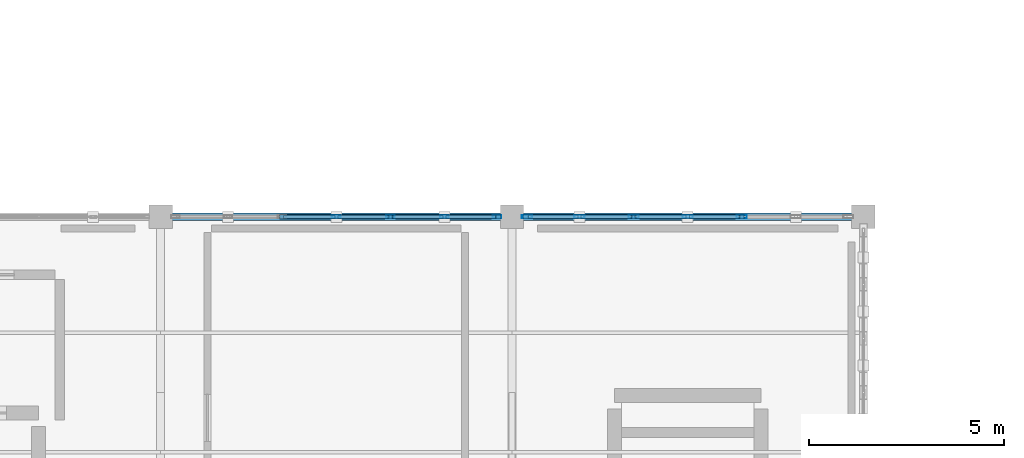
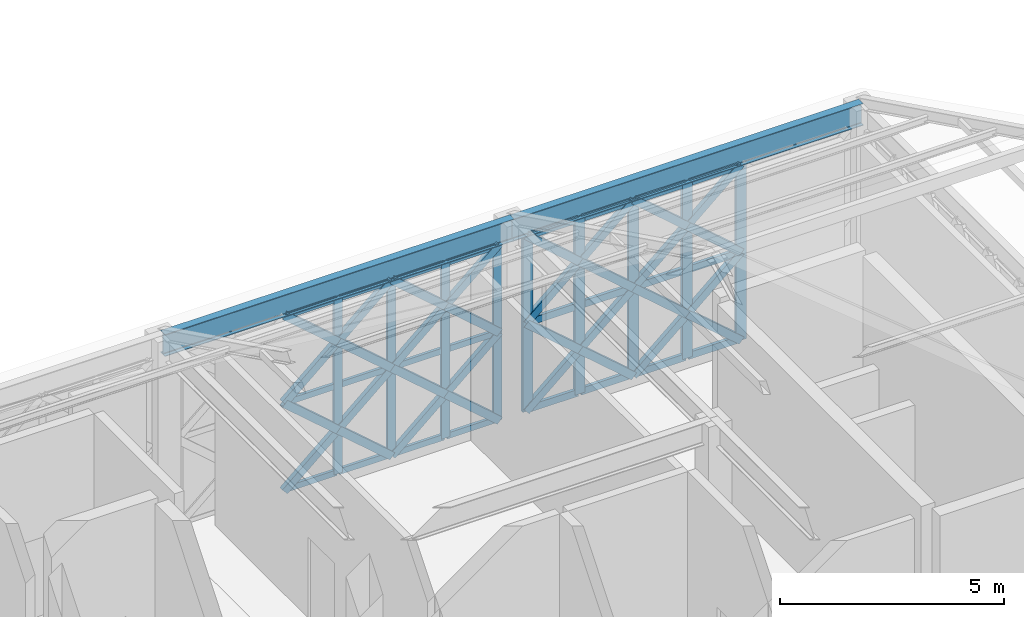
# One storey, part 19 of 32: 57 members, 2 beams, 2 elements without a shape of their own.
"""IFC4 building model written with IfcOpenShell, lengths in metres."""

import ifcopenshell
import ifcopenshell.guid

model = None  # the IFC model being written
_history = None  # IfcOwnerHistory: only IFC2X3 demands one
_inside = {}  # id of a spatial element -> (the spatial element, [elements in it])
_under = {}  # id of a project, library or spatial element -> (it, [spatial elements below it])
_declared = {}  # id of a project -> (the project, [libraries it declares])
_typed = {}  # id of a type object -> (the type object, [elements of that type])
_made_of = {}  # id of a material, layer set ... -> (it, [elements and type objects made of it])


def new_model(schema):
    """Start an empty IFC model of exactly this schema.

    Asked for "IFC4X3", IfcOpenShell would pick the latest addendum, in which some entities
    have other attributes; the version numbers below select the first issue.
    IFC2X3 requires an IfcOwnerHistory on every rooted entity: one is made here for all.
    """
    global model, _history
    if schema == "IFC4X3":
        model = ifcopenshell.file(schema_version=(4, 3, 0, 0))
    else:
        model = ifcopenshell.file(schema=schema)
    _inside.clear()
    _under.clear()
    _declared.clear()
    _typed.clear()
    _made_of.clear()
    _history = None
    if model.schema == "IFC2X3":
        org = make("IfcOrganization", Name="unknown")
        user = make(
            "IfcPersonAndOrganization",
            ThePerson=make("IfcPerson", FamilyName="unknown"),
            TheOrganization=org,
        )
        app = make(
            "IfcApplication",
            ApplicationDeveloper=org,
            Version="unknown",
            ApplicationFullName="unknown",
            ApplicationIdentifier="unknown",
        )
        _history = make(
            "IfcOwnerHistory",
            OwningUser=user,
            OwningApplication=app,
            ChangeAction="ADDED",
            CreationDate=0,
        )
    return model


def make(cls, **values):
    """One entity of the class cls with the attributes given. An attribute that is None is left unset."""
    return model.create_entity(
        cls, **{name: value for name, value in values.items() if value is not None}
    )


def rooted(cls, **values):
    """An entity with a GlobalId (a new one), such as an element, a storey or a relation."""
    return make(cls, GlobalId=ifcopenshell.guid.new(), OwnerHistory=_history, **values)


def si_unit(unit_type, name, prefix=None):
    """IfcSIUnit, for example si_unit("LENGTHUNIT", "METRE", prefix="MILLI")."""
    return make("IfcSIUnit", UnitType=unit_type, Prefix=prefix, Name=name)


def assignment(units):
    """IfcUnitAssignment: the units of a project."""
    return None if units is None else make("IfcUnitAssignment", Units=units)


def point(xyz):
    """IfcCartesianPoint."""
    return None if xyz is None else make("IfcCartesianPoint", Coordinates=xyz)


def direction(xyz):
    """IfcDirection."""
    return None if xyz is None else make("IfcDirection", DirectionRatios=xyz)


def frame(location, z_axis=None, x_axis=None):
    """IfcAxis2Placement3D, a coordinate frame: its origin and axes. An axis left out is left unset."""
    return make(
        "IfcAxis2Placement3D",
        Location=point(location),
        Axis=direction(z_axis),
        RefDirection=direction(x_axis),
    )


def frame_2d(location, x_axis=None):
    """IfcAxis2Placement2D, a coordinate frame in the plane: its origin and x axis."""
    return make(
        "IfcAxis2Placement2D", Location=point(location), RefDirection=direction(x_axis)
    )


def origin():
    """The frame at (0, 0, 0) with its axes left unset."""
    return frame((0.0, 0.0, 0.0))


def origin_2d():
    """The frame at (0, 0) in the plane with its x axis left unset."""
    return frame_2d((0.0, 0.0))


def place(relative_to, where):
    """IfcLocalPlacement: puts the frame where relative to a parent placement (None: the world)."""
    return make(
        "IfcLocalPlacement", PlacementRelTo=relative_to, RelativePlacement=where
    )


def context(
    kind, dimensions, precision=None, world=None, true_north=None, identifier=None
):
    """IfcGeometricRepresentationContext, for example the 3D "Model" context."""
    return make(
        "IfcGeometricRepresentationContext",
        ContextIdentifier=identifier,
        ContextType=kind,
        CoordinateSpaceDimension=dimensions,
        Precision=precision,
        WorldCoordinateSystem=world,
        TrueNorth=true_north,
    )


def subcontext(parent, identifier, kind, view, scale=None):
    """IfcGeometricRepresentationSubContext, for example "Body" below "Model"."""
    return make(
        "IfcGeometricRepresentationSubContext",
        ContextIdentifier=identifier,
        ContextType=kind,
        ParentContext=parent,
        TargetScale=scale,
        TargetView=view,
    )


def project(units=None, contexts=None):
    """IfcProject with its units and contexts."""
    return rooted(
        "IfcProject",
        Name="project",
        RepresentationContexts=contexts,
        UnitsInContext=assignment(units),
    )


def spatial(cls, under=None, at=None, **own):
    """A site, building, storey or space (cls), placed at a placement, below another one or the project."""
    s = rooted(cls, ObjectPlacement=at, **own)
    if under is not None:
        _under.setdefault(under.id(), (under, []))[1].append(s)
    return s


def profile(cls, at=None, kind="AREA", **sizes):
    """A parametric profile (cls). Its sizes go by their IFC names, for example OverallWidth=200.0."""
    return make(cls, ProfileType=kind, Position=at, **sizes)


def hollow_rectangle(**sizes):
    """IfcRectangleHollowProfileDef."""
    return profile("IfcRectangleHollowProfileDef", **sizes)


def i_section(**sizes):
    """IfcIShapeProfileDef."""
    return profile("IfcIShapeProfileDef", **sizes)


def extrude(swept, where, along, depth):
    """IfcExtrudedAreaSolid: the profile swept, set in the frame where, extruded along a direction by depth."""
    return make(
        "IfcExtrudedAreaSolid",
        SweptArea=swept,
        Position=where,
        ExtrudedDirection=direction(along),
        Depth=depth,
    )


def shape(context_of_items, identifier, shape_type, items):
    """IfcShapeRepresentation: the items that make up one representation, for example the "Body"."""
    return make(
        "IfcShapeRepresentation",
        ContextOfItems=context_of_items,
        RepresentationIdentifier=identifier,
        RepresentationType=shape_type,
        Items=items,
    )


def material(Name=None, Category=None):
    """IfcMaterial."""
    return make("IfcMaterial", Name=Name, Category=Category)


def material_profile(
    of_material, cross_section, Name=None, Category=None, Priority=None
):
    """IfcMaterialProfile: a cross section and its material."""
    return make(
        "IfcMaterialProfile",
        Name=Name,
        Material=of_material,
        Profile=cross_section,
        Priority=Priority,
        Category=Category,
    )


def profile_set(profiles, Name=None, composite=None):
    """IfcMaterialProfileSet."""
    return make(
        "IfcMaterialProfileSet",
        Name=Name,
        MaterialProfiles=profiles,
        CompositeProfile=composite,
    )


def made_of(thing, what):
    """Note that an element or type object is made of a material, layer set ...; save() writes the relation."""
    if what is not None:
        _made_of.setdefault(what.id(), (what, []))[1].append(thing)
    return thing


def type_object(cls, material=None, **own):
    """A type object (cls), such as IfcWallType, which elements share."""
    return made_of(rooted(cls, **own), material)


def element(
    cls,
    number,
    at=None,
    inside=None,
    cuts=None,
    type_object=None,
    material=None,
    context=None,
    identifier="Body",
    shape_type=None,
    held_by="IfcProductDefinitionShape",
    body=None,
    shapes=None,
    **own,
):
    """One element of the class cls, such as IfcWall. Its Tag is "e" and its number.

    at: its placement. inside: the storey or other place that contains it. cuts: it is an
    opening in that element (IfcRelVoidsElement). A single representation is given by context,
    identifier, shape_type and body (its items); several are given by shapes. held_by: the class
    of the entity that holds the representations. save() writes the other relations.
    """
    e = rooted(cls, Tag="e%d" % number, ObjectPlacement=at, **own)
    if body is not None:
        shapes = [shape(context, identifier, shape_type, body)]
    if shapes is not None:
        e.Representation = make(held_by, Representations=shapes)
    if inside is not None:
        _inside.setdefault(inside.id(), (inside, []))[1].append(e)
    if cuts is not None:
        rooted(
            "IfcRelVoidsElement", RelatingBuildingElement=cuts, RelatedOpeningElement=e
        )
    if type_object is not None:
        _typed.setdefault(type_object.id(), (type_object, []))[1].append(e)
    return made_of(e, material)


def aggregate(whole, parts):
    """IfcRelAggregates: a whole, such as a stair, and the parts it consists of."""
    return rooted("IfcRelAggregates", RelatingObject=whole, RelatedObjects=parts)


def save(model, path):
    """Write the relations noted so far, then the file.

    IfcRelAggregates (storeys below a building ...), IfcRelContainedInSpatialStructure (elements
    in a storey), IfcRelDefinesByType, IfcRelAssociatesMaterial and IfcRelDeclares: one each for
    every whole, place, type object, material and project.
    """
    for whole, parts in _under.values():
        aggregate(whole, parts)
    for where, things in _inside.values():
        rooted(
            "IfcRelContainedInSpatialStructure",
            RelatedElements=things,
            RelatingStructure=where,
        )
    for kind, things in _typed.values():
        rooted("IfcRelDefinesByType", RelatedObjects=things, RelatingType=kind)
    for what, things in _made_of.values():
        rooted("IfcRelAssociatesMaterial", RelatedObjects=things, RelatingMaterial=what)
    for by, libraries in _declared.values():
        rooted("IfcRelDeclares", RelatingContext=by, RelatedDefinitions=libraries)
    model.write(path)


model = new_model("IFC4")

# Units and contexts
model_context = context("Model", 3, precision=1e-05, world=origin(), true_north=direction((0.0, 1.0)))
body_context = subcontext(model_context, "Body", "Model", "MODEL_VIEW")
ifc_project = project(units=[si_unit("LENGTHUNIT", "METRE"), si_unit("AREAUNIT", "SQUARE_METRE"), si_unit("VOLUMEUNIT", "CUBIC_METRE"), si_unit("PLANEANGLEUNIT", "RADIAN"), si_unit("MASSUNIT", "GRAM", prefix="KILO")], contexts=[model_context])

# Site, building, storey
site_placement = place(None, origin())
site = spatial("IfcSite", under=ifc_project, at=site_placement, CompositionType="ELEMENT")
building_placement = place(site_placement, origin())
building = spatial("IfcBuilding", under=site, at=building_placement, Name="Haizhuo Lancet Aquarium", CompositionType="ELEMENT")
storey_placement = place(building_placement, frame((0.0, 0.0, 27.0)))
storey = spatial("IfcBuildingStorey", under=building, at=storey_placement, Name="L05", CompositionType="ELEMENT", Elevation=27.0)

# Beams
ifc_material_1 = material(Name="Steel S355", Category="steel")
ifc_material_profile_1 = material_profile(ifc_material_1, i_section(OverallWidth=0.199951171875, OverallDepth=0.60009765625, WebThickness=0.010986328125, FlangeThickness=0.01708984375, FilletRadius=0.02197265625, at=origin_2d()), Name="HN 600x200x11x17")
ifc_profile_set_1 = profile_set([ifc_material_profile_1], Name="Steel S355")
beam_type = type_object("IfcBeamType", Name="BM-ST-HN600", PredefinedType="BEAM", material=ifc_profile_set_1)
for number, where, z_axis, x_axis, name in (
    (1, (-54.0, -9.0, 5.10009765625), (1.0, 0.0, 0.0), (0.0, 1.0, 0.0), "L05 V6 primary girder BM-L05-V6-018"),
    (2, (-45.0, -9.0, 5.10009765625), (1.0, 0.0, 0.0), (0.0, 1.0, 0.0), "L05 V6 primary girder BM-L05-V6-022"),
):
    element("IfcBeam", number, at=place(storey_placement, frame(where, z_axis=z_axis, x_axis=x_axis)), inside=storey, type_object=beam_type, Name=name, PredefinedType="BEAM", context=body_context, shape_type="SweptSolid", body=[
        extrude(i_section(OverallWidth=0.199951171875, OverallDepth=0.60009765625, WebThickness=0.010986328125, FlangeThickness=0.01708984375, FilletRadius=0.02197265625, at=origin_2d()), origin(), (0.0, 0.0, 1.0), 9.0),
    ])

# Curtain wall, members
ifc_material_2 = material(Name="Aluminium 6063-T6", Category="aluminium")
curtain_wall_type = type_object("IfcCurtainWallType", Name="CWO-8310x4800", PredefinedType="NOTDEFINED", material=ifc_material_2)
curtain_wall_1_placement = place(storey_placement, origin())
curtain_wall_1 = element("IfcCurtainWall", 3, at=curtain_wall_1_placement, inside=storey, type_object=curtain_wall_type, Name="L05 curtain wall CW-V6-L05-263", PredefinedType="NOTDEFINED")
ifc_material_profile_2 = material_profile(ifc_material_2, hollow_rectangle(XDim=0.074951171875, YDim=0.219970703125, WallThickness=0.0048828125, at=origin_2d()), Name="ALU-M 75x220x5")
ifc_profile_set_2 = profile_set([ifc_material_profile_2], Name="Aluminium 6063-T6")
member_type_1 = type_object("IfcMemberType", Name="CW-MUL-2", PredefinedType="MULLION", material=ifc_profile_set_2)
member_1_placement = place(storey_placement, frame((-49.5, -9.0, 0.0), z_axis=(0.0, 0.0, 1.0), x_axis=(0.0, 1.0, 0.0)))
member_1 = element("IfcMember", 4, at=member_1_placement, type_object=member_type_1, Name="CWO-83x48 mullion 4", PredefinedType="MULLION", context=body_context, shape_type="SweptSolid", body=[
    extrude(hollow_rectangle(XDim=0.074951171875, YDim=0.219970703125, WallThickness=0.0048828125, at=origin_2d()), origin(), (0.0, 0.0, 1.0), 4.800048828125),
])
member_2_placement = place(storey_placement, frame((-48.114990234375, -9.0, 0.0), z_axis=(0.0, 0.0, 1.0), x_axis=(0.0, 1.0, 0.0)))
member_2 = element("IfcMember", 5, at=member_2_placement, type_object=member_type_1, Name="CWO-83x48 mullion 5", PredefinedType="MULLION", context=body_context, shape_type="SweptSolid", body=[
    extrude(hollow_rectangle(XDim=0.074951171875, YDim=0.219970703125, WallThickness=0.0048828125, at=origin_2d()), origin(), (0.0, 0.0, 1.0), 4.800048828125),
])
member_3_placement = place(storey_placement, frame((-46.72998046875, -9.0, 0.0), z_axis=(0.0, 0.0, 1.0), x_axis=(0.0, 1.0, 0.0)))
member_3 = element("IfcMember", 6, at=member_3_placement, type_object=member_type_1, Name="CWO-83x48 mullion 6", PredefinedType="MULLION", context=body_context, shape_type="SweptSolid", body=[
    extrude(hollow_rectangle(XDim=0.074951171875, YDim=0.219970703125, WallThickness=0.0048828125, at=origin_2d()), origin(), (0.0, 0.0, 1.0), 4.800048828125),
])
member_4_placement = place(storey_placement, frame((-45.383056640625, -9.0, 0.0), z_axis=(0.0, 0.0, 1.0), x_axis=(0.0, 1.0, 0.0)))
member_4 = element("IfcMember", 7, at=member_4_placement, type_object=member_type_1, Name="CWO-83x48 mullion 7", PredefinedType="MULLION", context=body_context, shape_type="SweptSolid", body=[
    extrude(hollow_rectangle(XDim=0.074951171875, YDim=0.219970703125, WallThickness=0.0048828125, at=origin_2d()), origin(), (0.0, 0.0, 1.0), 4.800048828125),
])

curtain_wall_2_placement = place(storey_placement, origin())
curtain_wall_2 = element("IfcCurtainWall", 8, at=curtain_wall_2_placement, inside=storey, type_object=curtain_wall_type, Name="L05 curtain wall CW-V6-L05-264", PredefinedType="NOTDEFINED")
ifc_material_profile_3 = material_profile(ifc_material_2, hollow_rectangle(XDim=0.080078125, YDim=0.260009765625, WallThickness=0.0048828125, at=origin_2d()), Name="ALU-M 80x260x5")
ifc_profile_set_3 = profile_set([ifc_material_profile_3], Name="Aluminium 6063-T6")
member_type_2 = type_object("IfcMemberType", Name="CW-MUL-3", PredefinedType="MULLION", material=ifc_profile_set_3)
member_5_placement = place(storey_placement, frame((-44.614990234375, -9.0, 0.0), z_axis=(0.0, 0.0, 1.0), x_axis=(0.0, 1.0, 0.0)))
member_5 = element("IfcMember", 9, at=member_5_placement, type_object=member_type_2, Name="CWO-83x48 mullion 1", PredefinedType="MULLION", context=body_context, shape_type="SweptSolid", body=[
    extrude(hollow_rectangle(XDim=0.080078125, YDim=0.260009765625, WallThickness=0.0048828125, at=origin_2d()), origin(), (0.0, 0.0, 1.0), 4.800048828125),
])
member_6_placement = place(storey_placement, frame((-43.27001953125, -9.0, 0.0), z_axis=(0.0, 0.0, 1.0), x_axis=(0.0, 1.0, 0.0)))
member_6 = element("IfcMember", 10, at=member_6_placement, type_object=member_type_2, Name="CWO-83x48 mullion 2", PredefinedType="MULLION", context=body_context, shape_type="SweptSolid", body=[
    extrude(hollow_rectangle(XDim=0.080078125, YDim=0.260009765625, WallThickness=0.0048828125, at=origin_2d()), origin(), (0.0, 0.0, 1.0), 4.800048828125),
])
member_7_placement = place(storey_placement, frame((-41.885009765625, -9.0, 0.0), z_axis=(0.0, 0.0, 1.0), x_axis=(0.0, 1.0, 0.0)))
member_7 = element("IfcMember", 11, at=member_7_placement, type_object=member_type_2, Name="CWO-83x48 mullion 3", PredefinedType="MULLION", context=body_context, shape_type="SweptSolid", body=[
    extrude(hollow_rectangle(XDim=0.080078125, YDim=0.260009765625, WallThickness=0.0048828125, at=origin_2d()), origin(), (0.0, 0.0, 1.0), 4.800048828125),
])
member_8_placement = place(storey_placement, frame((-40.5, -9.0, 0.0), z_axis=(0.0, 0.0, 1.0), x_axis=(0.0, 1.0, 0.0)))
member_8 = element("IfcMember", 12, at=member_8_placement, type_object=member_type_2, Name="CWO-83x48 mullion 4", PredefinedType="MULLION", context=body_context, shape_type="SweptSolid", body=[
    extrude(hollow_rectangle(XDim=0.080078125, YDim=0.260009765625, WallThickness=0.0048828125, at=origin_2d()), origin(), (0.0, 0.0, 1.0), 4.800048828125),
])
member_9_placement = place(storey_placement, frame((-39.114990234375, -9.0, 0.0), z_axis=(0.0, 0.0, 1.0), x_axis=(0.0, 1.0, 0.0)))
member_9 = element("IfcMember", 13, at=member_9_placement, type_object=member_type_2, Name="CWO-83x48 mullion 5", PredefinedType="MULLION", context=body_context, shape_type="SweptSolid", body=[
    extrude(hollow_rectangle(XDim=0.080078125, YDim=0.260009765625, WallThickness=0.0048828125, at=origin_2d()), origin(), (0.0, 0.0, 1.0), 4.800048828125),
])

# Member
ifc_material_profile_4 = material_profile(ifc_material_2, hollow_rectangle(XDim=0.074951171875, YDim=0.159912109375, WallThickness=0.00390625, at=origin_2d()), Name="ALU-T 75x160x4")
ifc_profile_set_4 = profile_set([ifc_material_profile_4], Name="Aluminium 6063-T6")
member_type_3 = type_object("IfcMemberType", Name="CW-TRN-2", PredefinedType="NOTDEFINED", material=ifc_profile_set_4)
member_10_placement = place(storey_placement, frame((-50.846923828125, -9.0, 0.0380859375), z_axis=(1.0, 0.0, 0.0), x_axis=(0.0, 1.0, 0.0)))
member_10 = element("IfcMember", 14, at=member_10_placement, type_object=member_type_3, Name="CWO-83x48 transom 3.1", ObjectType="TRANSOM", PredefinedType="USERDEFINED", context=body_context, shape_type="SweptSolid", body=[
    extrude(hollow_rectangle(XDim=0.074951171875, YDim=0.159912109375, WallThickness=0.00390625, at=origin_2d()), origin(), (0.0, 0.0, 1.0), 1.308837890625),
])

member_11_placement = place(storey_placement, frame((-50.846923828125, -9.0, 2.39990234375), z_axis=(1.0, 0.0, 0.0), x_axis=(0.0, 1.0, 0.0)))
member_11 = element("IfcMember", 15, at=member_11_placement, type_object=member_type_3, Name="CWO-83x48 transom 3.2", ObjectType="TRANSOM", PredefinedType="USERDEFINED", context=body_context, shape_type="SweptSolid", body=[
    extrude(hollow_rectangle(XDim=0.074951171875, YDim=0.159912109375, WallThickness=0.00390625, at=origin_2d()), origin(), (0.0, 0.0, 1.0), 1.308837890625),
])

member_12_placement = place(storey_placement, frame((-50.846923828125, -9.0, 4.761962890625), z_axis=(1.0, 0.0, 0.0), x_axis=(0.0, 1.0, 0.0)))
member_12 = element("IfcMember", 16, at=member_12_placement, type_object=member_type_3, Name="CWO-83x48 transom 3.3", ObjectType="TRANSOM", PredefinedType="USERDEFINED", context=body_context, shape_type="SweptSolid", body=[
    extrude(hollow_rectangle(XDim=0.074951171875, YDim=0.159912109375, WallThickness=0.00390625, at=origin_2d()), origin(), (0.0, 0.0, 1.0), 1.308837890625),
])

member_13_placement = place(storey_placement, frame((-49.4619140625, -9.0, 0.0380859375), z_axis=(1.0, 0.0, 0.0), x_axis=(0.0, 1.0, 0.0)))
member_13 = element("IfcMember", 17, at=member_13_placement, type_object=member_type_3, Name="CWO-83x48 transom 4.1", ObjectType="TRANSOM", PredefinedType="USERDEFINED", context=body_context, shape_type="SweptSolid", body=[
    extrude(hollow_rectangle(XDim=0.074951171875, YDim=0.159912109375, WallThickness=0.00390625, at=origin_2d()), origin(), (0.0, 0.0, 1.0), 1.309814453125),
])

member_14_placement = place(storey_placement, frame((-49.4619140625, -9.0, 2.39990234375), z_axis=(1.0, 0.0, 0.0), x_axis=(0.0, 1.0, 0.0)))
member_14 = element("IfcMember", 18, at=member_14_placement, type_object=member_type_3, Name="CWO-83x48 transom 4.2", ObjectType="TRANSOM", PredefinedType="USERDEFINED", context=body_context, shape_type="SweptSolid", body=[
    extrude(hollow_rectangle(XDim=0.074951171875, YDim=0.159912109375, WallThickness=0.00390625, at=origin_2d()), origin(), (0.0, 0.0, 1.0), 1.309814453125),
])

member_15_placement = place(storey_placement, frame((-49.4619140625, -9.0, 4.761962890625), z_axis=(1.0, 0.0, 0.0), x_axis=(0.0, 1.0, 0.0)))
member_15 = element("IfcMember", 19, at=member_15_placement, type_object=member_type_3, Name="CWO-83x48 transom 4.3", ObjectType="TRANSOM", PredefinedType="USERDEFINED", context=body_context, shape_type="SweptSolid", body=[
    extrude(hollow_rectangle(XDim=0.074951171875, YDim=0.159912109375, WallThickness=0.00390625, at=origin_2d()), origin(), (0.0, 0.0, 1.0), 1.309814453125),
])

member_16_placement = place(storey_placement, frame((-48.077880859375, -9.0, 0.0380859375), z_axis=(1.0, 0.0, 0.0), x_axis=(0.0, 1.0, 0.0)))
member_16 = element("IfcMember", 20, at=member_16_placement, type_object=member_type_3, Name="CWO-83x48 transom 5.1", ObjectType="TRANSOM", PredefinedType="USERDEFINED", context=body_context, shape_type="SweptSolid", body=[
    extrude(hollow_rectangle(XDim=0.074951171875, YDim=0.159912109375, WallThickness=0.00390625, at=origin_2d()), origin(), (0.0, 0.0, 1.0), 1.310791015625),
])

member_17_placement = place(storey_placement, frame((-48.077880859375, -9.0, 2.39990234375), z_axis=(1.0, 0.0, 0.0), x_axis=(0.0, 1.0, 0.0)))
member_17 = element("IfcMember", 21, at=member_17_placement, type_object=member_type_3, Name="CWO-83x48 transom 5.2", ObjectType="TRANSOM", PredefinedType="USERDEFINED", context=body_context, shape_type="SweptSolid", body=[
    extrude(hollow_rectangle(XDim=0.074951171875, YDim=0.159912109375, WallThickness=0.00390625, at=origin_2d()), origin(), (0.0, 0.0, 1.0), 1.310791015625),
])

member_18_placement = place(storey_placement, frame((-48.077880859375, -9.0, 4.761962890625), z_axis=(1.0, 0.0, 0.0), x_axis=(0.0, 1.0, 0.0)))
member_18 = element("IfcMember", 22, at=member_18_placement, type_object=member_type_3, Name="CWO-83x48 transom 5.3", ObjectType="TRANSOM", PredefinedType="USERDEFINED", context=body_context, shape_type="SweptSolid", body=[
    extrude(hollow_rectangle(XDim=0.074951171875, YDim=0.159912109375, WallThickness=0.00390625, at=origin_2d()), origin(), (0.0, 0.0, 1.0), 1.310791015625),
])

member_19_placement = place(storey_placement, frame((-46.69189453125, -9.0, 0.0380859375), z_axis=(1.0, 0.0, 0.0), x_axis=(0.0, 1.0, 0.0)))
member_19 = element("IfcMember", 23, at=member_19_placement, type_object=member_type_3, Name="CWO-83x48 transom 6.1", ObjectType="TRANSOM", PredefinedType="USERDEFINED", context=body_context, shape_type="SweptSolid", body=[
    extrude(hollow_rectangle(XDim=0.074951171875, YDim=0.159912109375, WallThickness=0.00390625, at=origin_2d()), origin(), (0.0, 0.0, 1.0), 1.27197265625),
])

member_20_placement = place(storey_placement, frame((-46.69189453125, -9.0, 2.39990234375), z_axis=(1.0, 0.0, 0.0), x_axis=(0.0, 1.0, 0.0)))
member_20 = element("IfcMember", 24, at=member_20_placement, type_object=member_type_3, Name="CWO-83x48 transom 6.2", ObjectType="TRANSOM", PredefinedType="USERDEFINED", context=body_context, shape_type="SweptSolid", body=[
    extrude(hollow_rectangle(XDim=0.074951171875, YDim=0.159912109375, WallThickness=0.00390625, at=origin_2d()), origin(), (0.0, 0.0, 1.0), 1.27197265625),
])

member_21_placement = place(storey_placement, frame((-46.69189453125, -9.0, 4.761962890625), z_axis=(1.0, 0.0, 0.0), x_axis=(0.0, 1.0, 0.0)))
member_21 = element("IfcMember", 25, at=member_21_placement, type_object=member_type_3, Name="CWO-83x48 transom 6.3", ObjectType="TRANSOM", PredefinedType="USERDEFINED", context=body_context, shape_type="SweptSolid", body=[
    extrude(hollow_rectangle(XDim=0.074951171875, YDim=0.159912109375, WallThickness=0.00390625, at=origin_2d()), origin(), (0.0, 0.0, 1.0), 1.27197265625),
])

aggregate(curtain_wall_1, [member_1, member_2, member_3, member_4, member_10, member_11, member_12, member_13, member_14, member_15, member_16, member_17, member_18, member_19, member_20, member_21])

ifc_material_profile_5 = material_profile(ifc_material_2, hollow_rectangle(XDim=0.080078125, YDim=0.18994140625, WallThickness=0.0048828125, at=origin_2d()), Name="ALU-T 80x190x5")
ifc_profile_set_5 = profile_set([ifc_material_profile_5], Name="Aluminium 6063-T6")
member_type_4 = type_object("IfcMemberType", Name="CW-TRN-3", PredefinedType="NOTDEFINED", material=ifc_profile_set_5)
member_22_placement = place(storey_placement, frame((-44.574951171875, -9.0, 0.0400390625), z_axis=(1.0, 0.0, 0.0), x_axis=(0.0, 1.0, 0.0)))
member_22 = element("IfcMember", 26, at=member_22_placement, type_object=member_type_4, Name="CWO-83x48 transom 1.1", ObjectType="TRANSOM", PredefinedType="USERDEFINED", context=body_context, shape_type="SweptSolid", body=[
    extrude(hollow_rectangle(XDim=0.080078125, YDim=0.18994140625, WallThickness=0.0048828125, at=origin_2d()), origin(), (0.0, 0.0, 1.0), 1.264892578125),
])

member_23_placement = place(storey_placement, frame((-44.574951171875, -9.0, 2.39990234375), z_axis=(1.0, 0.0, 0.0), x_axis=(0.0, 1.0, 0.0)))
member_23 = element("IfcMember", 27, at=member_23_placement, type_object=member_type_4, Name="CWO-83x48 transom 1.2", ObjectType="TRANSOM", PredefinedType="USERDEFINED", context=body_context, shape_type="SweptSolid", body=[
    extrude(hollow_rectangle(XDim=0.080078125, YDim=0.18994140625, WallThickness=0.0048828125, at=origin_2d()), origin(), (0.0, 0.0, 1.0), 1.264892578125),
])

member_24_placement = place(storey_placement, frame((-44.574951171875, -9.0, 4.760009765625), z_axis=(1.0, 0.0, 0.0), x_axis=(0.0, 1.0, 0.0)))
member_24 = element("IfcMember", 28, at=member_24_placement, type_object=member_type_4, Name="CWO-83x48 transom 1.3", ObjectType="TRANSOM", PredefinedType="USERDEFINED", context=body_context, shape_type="SweptSolid", body=[
    extrude(hollow_rectangle(XDim=0.080078125, YDim=0.18994140625, WallThickness=0.0048828125, at=origin_2d()), origin(), (0.0, 0.0, 1.0), 1.264892578125),
])

member_25_placement = place(storey_placement, frame((-43.22998046875, -9.0, 0.0400390625), z_axis=(1.0, 0.0, 0.0), x_axis=(0.0, 1.0, 0.0)))
member_25 = element("IfcMember", 29, at=member_25_placement, type_object=member_type_4, Name="CWO-83x48 transom 2.1", ObjectType="TRANSOM", PredefinedType="USERDEFINED", context=body_context, shape_type="SweptSolid", body=[
    extrude(hollow_rectangle(XDim=0.080078125, YDim=0.18994140625, WallThickness=0.0048828125, at=origin_2d()), origin(), (0.0, 0.0, 1.0), 1.304931640625),
])

member_26_placement = place(storey_placement, frame((-43.22998046875, -9.0, 2.39990234375), z_axis=(1.0, 0.0, 0.0), x_axis=(0.0, 1.0, 0.0)))
member_26 = element("IfcMember", 30, at=member_26_placement, type_object=member_type_4, Name="CWO-83x48 transom 2.2", ObjectType="TRANSOM", PredefinedType="USERDEFINED", context=body_context, shape_type="SweptSolid", body=[
    extrude(hollow_rectangle(XDim=0.080078125, YDim=0.18994140625, WallThickness=0.0048828125, at=origin_2d()), origin(), (0.0, 0.0, 1.0), 1.304931640625),
])

member_27_placement = place(storey_placement, frame((-43.22998046875, -9.0, 4.760009765625), z_axis=(1.0, 0.0, 0.0), x_axis=(0.0, 1.0, 0.0)))
member_27 = element("IfcMember", 31, at=member_27_placement, type_object=member_type_4, Name="CWO-83x48 transom 2.3", ObjectType="TRANSOM", PredefinedType="USERDEFINED", context=body_context, shape_type="SweptSolid", body=[
    extrude(hollow_rectangle(XDim=0.080078125, YDim=0.18994140625, WallThickness=0.0048828125, at=origin_2d()), origin(), (0.0, 0.0, 1.0), 1.304931640625),
])

member_28_placement = place(storey_placement, frame((-41.844970703125, -9.0, 0.0400390625), z_axis=(1.0, 0.0, 0.0), x_axis=(0.0, 1.0, 0.0)))
member_28 = element("IfcMember", 32, at=member_28_placement, type_object=member_type_4, Name="CWO-83x48 transom 3.1", ObjectType="TRANSOM", PredefinedType="USERDEFINED", context=body_context, shape_type="SweptSolid", body=[
    extrude(hollow_rectangle(XDim=0.080078125, YDim=0.18994140625, WallThickness=0.0048828125, at=origin_2d()), origin(), (0.0, 0.0, 1.0), 1.304931640625),
])

member_29_placement = place(storey_placement, frame((-41.844970703125, -9.0, 2.39990234375), z_axis=(1.0, 0.0, 0.0), x_axis=(0.0, 1.0, 0.0)))
member_29 = element("IfcMember", 33, at=member_29_placement, type_object=member_type_4, Name="CWO-83x48 transom 3.2", ObjectType="TRANSOM", PredefinedType="USERDEFINED", context=body_context, shape_type="SweptSolid", body=[
    extrude(hollow_rectangle(XDim=0.080078125, YDim=0.18994140625, WallThickness=0.0048828125, at=origin_2d()), origin(), (0.0, 0.0, 1.0), 1.304931640625),
])

member_30_placement = place(storey_placement, frame((-41.844970703125, -9.0, 4.760009765625), z_axis=(1.0, 0.0, 0.0), x_axis=(0.0, 1.0, 0.0)))
member_30 = element("IfcMember", 34, at=member_30_placement, type_object=member_type_4, Name="CWO-83x48 transom 3.3", ObjectType="TRANSOM", PredefinedType="USERDEFINED", context=body_context, shape_type="SweptSolid", body=[
    extrude(hollow_rectangle(XDim=0.080078125, YDim=0.18994140625, WallThickness=0.0048828125, at=origin_2d()), origin(), (0.0, 0.0, 1.0), 1.304931640625),
])

member_31_placement = place(storey_placement, frame((-40.4599609375, -9.0, 0.0400390625), z_axis=(1.0, 0.0, 0.0), x_axis=(0.0, 1.0, 0.0)))
member_31 = element("IfcMember", 35, at=member_31_placement, type_object=member_type_4, Name="CWO-83x48 transom 4.1", ObjectType="TRANSOM", PredefinedType="USERDEFINED", context=body_context, shape_type="SweptSolid", body=[
    extrude(hollow_rectangle(XDim=0.080078125, YDim=0.18994140625, WallThickness=0.0048828125, at=origin_2d()), origin(), (0.0, 0.0, 1.0), 1.304931640625),
])

member_32_placement = place(storey_placement, frame((-40.4599609375, -9.0, 2.39990234375), z_axis=(1.0, 0.0, 0.0), x_axis=(0.0, 1.0, 0.0)))
member_32 = element("IfcMember", 36, at=member_32_placement, type_object=member_type_4, Name="CWO-83x48 transom 4.2", ObjectType="TRANSOM", PredefinedType="USERDEFINED", context=body_context, shape_type="SweptSolid", body=[
    extrude(hollow_rectangle(XDim=0.080078125, YDim=0.18994140625, WallThickness=0.0048828125, at=origin_2d()), origin(), (0.0, 0.0, 1.0), 1.304931640625),
])

member_33_placement = place(storey_placement, frame((-40.4599609375, -9.0, 4.760009765625), z_axis=(1.0, 0.0, 0.0), x_axis=(0.0, 1.0, 0.0)))
member_33 = element("IfcMember", 37, at=member_33_placement, type_object=member_type_4, Name="CWO-83x48 transom 4.3", ObjectType="TRANSOM", PredefinedType="USERDEFINED", context=body_context, shape_type="SweptSolid", body=[
    extrude(hollow_rectangle(XDim=0.080078125, YDim=0.18994140625, WallThickness=0.0048828125, at=origin_2d()), origin(), (0.0, 0.0, 1.0), 1.304931640625),
])

aggregate(curtain_wall_2, [member_5, member_6, member_7, member_8, member_9, member_22, member_23, member_24, member_25, member_26, member_27, member_28, member_29, member_30, member_31, member_32, member_33])

# Members
ifc_material_profile_6 = material_profile(ifc_material_1, hollow_rectangle(XDim=0.1201171875, YDim=0.199951171875, WallThickness=0.008056640625, at=origin_2d()), Name="RHS 120x200x8")
ifc_profile_set_6 = profile_set([ifc_material_profile_6], Name="Steel S355")
member_type_5 = type_object("IfcMemberType", Name="MEM-LB-RHS120x200", PredefinedType="BRACE", material=ifc_profile_set_6)
member_34_placement = place(storey_placement, frame((-50.885009765625, -9.0, 0.0), z_axis=(0.755794572232, 0.0, 0.654808800021), x_axis=(0.0, 1.0, 0.0)))
element("IfcMember", 38, at=member_34_placement, inside=storey, type_object=member_type_5, Name="Gothic lancet continuous diagonal brace CW-V6-L05-263 3A", PredefinedType="BRACE", context=body_context, shape_type="SweptSolid", body=[
    extrude(hollow_rectangle(XDim=0.1201171875, YDim=0.199951171875, WallThickness=0.008056640625, at=origin_2d()), origin(), (0.0, 0.0, 1.0), 3.6650390625),
])
for number, where, z_axis, x_axis, name in (
    (39, (-48.114990234375, -9.0, 0.0), (-0.755794572232, 0.0, 0.654808800021), (0.0, -1.0, 0.0), "Gothic lancet split diagonal brace CW-V6-L05-263 3B1"),
    (40, (-49.5, -9.0, 1.199951171875), (-0.755794572232, 0.0, 0.654808800021), (0.0, -1.0, 0.0), "Gothic lancet split diagonal brace CW-V6-L05-263 3B2"),
):
    element("IfcMember", number, at=place(storey_placement, frame(where, z_axis=z_axis, x_axis=x_axis)), inside=storey, type_object=member_type_5, Name=name, PredefinedType="BRACE", context=body_context, shape_type="SweptSolid", body=[
        extrude(hollow_rectangle(XDim=0.1201171875, YDim=0.199951171875, WallThickness=0.008056640625, at=origin_2d()), origin(), (0.0, 0.0, 1.0), 1.83251953125),
    ])
member_35_placement = place(storey_placement, frame((-50.885009765625, -9.0, 2.39990234375), z_axis=(0.755761605724, 0.0, 0.654846848746), x_axis=(0.0, 1.0, 0.0)))
element("IfcMember", 41, at=member_35_placement, inside=storey, type_object=member_type_5, Name="Gothic lancet continuous diagonal brace CW-V6-L05-263 4A", PredefinedType="BRACE", context=body_context, shape_type="SweptSolid", body=[
    extrude(hollow_rectangle(XDim=0.1201171875, YDim=0.199951171875, WallThickness=0.008056640625, at=origin_2d()), origin(), (0.0, 0.0, 1.0), 3.665283203125),
])
member_36_placement = place(storey_placement, frame((-48.114990234375, -9.0, 2.39990234375), z_axis=(-0.755728640177, 0.0, 0.654884892493), x_axis=(0.0, -1.0, 0.0)))
element("IfcMember", 42, at=member_36_placement, inside=storey, type_object=member_type_5, Name="Gothic lancet split diagonal brace CW-V6-L05-263 4B1", PredefinedType="BRACE", context=body_context, shape_type="SweptSolid", body=[
    extrude(hollow_rectangle(XDim=0.1201171875, YDim=0.199951171875, WallThickness=0.008056640625, at=origin_2d()), origin(), (0.0, 0.0, 1.0), 1.832763671875),
])
member_37_placement = place(storey_placement, frame((-49.5, -9.0, 3.60009765625), z_axis=(-0.755794572232, 0.0, 0.654808800021), x_axis=(0.0, -1.0, 0.0)))
element("IfcMember", 43, at=member_37_placement, inside=storey, type_object=member_type_5, Name="Gothic lancet split diagonal brace CW-V6-L05-263 4B2", PredefinedType="BRACE", context=body_context, shape_type="SweptSolid", body=[
    extrude(hollow_rectangle(XDim=0.1201171875, YDim=0.199951171875, WallThickness=0.008056640625, at=origin_2d()), origin(), (0.0, 0.0, 1.0), 1.83251953125),
])
member_38_placement = place(storey_placement, frame((-48.114990234375, -9.0, 0.0), z_axis=(0.755794572232, 0.0, 0.654808800021), x_axis=(0.0, 1.0, 0.0)))
element("IfcMember", 44, at=member_38_placement, inside=storey, type_object=member_type_5, Name="Gothic lancet continuous diagonal brace CW-V6-L05-263 5A", PredefinedType="BRACE", context=body_context, shape_type="SweptSolid", body=[
    extrude(hollow_rectangle(XDim=0.1201171875, YDim=0.199951171875, WallThickness=0.008056640625, at=origin_2d()), origin(), (0.0, 0.0, 1.0), 3.6650390625),
])
for number, where, z_axis, x_axis, name in (
    (45, (-45.344970703125, -9.0, 0.0), (-0.755794572232, 0.0, 0.654808800021), (0.0, -1.0, 0.0), "Gothic lancet split diagonal brace CW-V6-L05-263 5B1"),
    (46, (-46.72998046875, -9.0, 1.199951171875), (-0.755794572232, 0.0, 0.654808800021), (0.0, -1.0, 0.0), "Gothic lancet split diagonal brace CW-V6-L05-263 5B2"),
):
    element("IfcMember", number, at=place(storey_placement, frame(where, z_axis=z_axis, x_axis=x_axis)), inside=storey, type_object=member_type_5, Name=name, PredefinedType="BRACE", context=body_context, shape_type="SweptSolid", body=[
        extrude(hollow_rectangle(XDim=0.1201171875, YDim=0.199951171875, WallThickness=0.008056640625, at=origin_2d()), origin(), (0.0, 0.0, 1.0), 1.83251953125),
    ])
member_39_placement = place(storey_placement, frame((-48.114990234375, -9.0, 2.39990234375), z_axis=(0.755761605724, 0.0, 0.654846848746), x_axis=(0.0, 1.0, 0.0)))
element("IfcMember", 47, at=member_39_placement, inside=storey, type_object=member_type_5, Name="Gothic lancet continuous diagonal brace CW-V6-L05-263 6A", PredefinedType="BRACE", context=body_context, shape_type="SweptSolid", body=[
    extrude(hollow_rectangle(XDim=0.1201171875, YDim=0.199951171875, WallThickness=0.008056640625, at=origin_2d()), origin(), (0.0, 0.0, 1.0), 3.665283203125),
])
member_40_placement = place(storey_placement, frame((-45.344970703125, -9.0, 2.39990234375), z_axis=(-0.755728640177, 0.0, 0.654884892493), x_axis=(0.0, -1.0, 0.0)))
element("IfcMember", 48, at=member_40_placement, inside=storey, type_object=member_type_5, Name="Gothic lancet split diagonal brace CW-V6-L05-263 6B1", PredefinedType="BRACE", context=body_context, shape_type="SweptSolid", body=[
    extrude(hollow_rectangle(XDim=0.1201171875, YDim=0.199951171875, WallThickness=0.008056640625, at=origin_2d()), origin(), (0.0, 0.0, 1.0), 1.832763671875),
])
member_41_placement = place(storey_placement, frame((-46.72998046875, -9.0, 3.60009765625), z_axis=(-0.755794572232, 0.0, 0.654808800021), x_axis=(0.0, -1.0, 0.0)))
element("IfcMember", 49, at=member_41_placement, inside=storey, type_object=member_type_5, Name="Gothic lancet split diagonal brace CW-V6-L05-263 6B2", PredefinedType="BRACE", context=body_context, shape_type="SweptSolid", body=[
    extrude(hollow_rectangle(XDim=0.1201171875, YDim=0.199951171875, WallThickness=0.008056640625, at=origin_2d()), origin(), (0.0, 0.0, 1.0), 1.83251953125),
])
member_42_placement = place(storey_placement, frame((-44.655029296875, -9.0, 0.0), z_axis=(0.755794572232, 0.0, 0.654808800021), x_axis=(0.0, 1.0, 0.0)))
element("IfcMember", 50, at=member_42_placement, inside=storey, type_object=member_type_5, Name="Gothic lancet continuous diagonal brace CW-V6-L05-264 1A", PredefinedType="BRACE", context=body_context, shape_type="SweptSolid", body=[
    extrude(hollow_rectangle(XDim=0.1201171875, YDim=0.199951171875, WallThickness=0.008056640625, at=origin_2d()), origin(), (0.0, 0.0, 1.0), 3.6650390625),
])
for number, where, z_axis, x_axis, name in (
    (51, (-41.885009765625, -9.0, 0.0), (-0.755794572232, 0.0, 0.654808800021), (0.0, -1.0, 0.0), "Gothic lancet split diagonal brace CW-V6-L05-264 1B1"),
    (52, (-43.27001953125, -9.0, 1.199951171875), (-0.755794572232, 0.0, 0.654808800021), (0.0, -1.0, 0.0), "Gothic lancet split diagonal brace CW-V6-L05-264 1B2"),
):
    element("IfcMember", number, at=place(storey_placement, frame(where, z_axis=z_axis, x_axis=x_axis)), inside=storey, type_object=member_type_5, Name=name, PredefinedType="BRACE", context=body_context, shape_type="SweptSolid", body=[
        extrude(hollow_rectangle(XDim=0.1201171875, YDim=0.199951171875, WallThickness=0.008056640625, at=origin_2d()), origin(), (0.0, 0.0, 1.0), 1.83251953125),
    ])
member_43_placement = place(storey_placement, frame((-44.655029296875, -9.0, 2.39990234375), z_axis=(0.755761605724, 0.0, 0.654846848746), x_axis=(0.0, 1.0, 0.0)))
element("IfcMember", 53, at=member_43_placement, inside=storey, type_object=member_type_5, Name="Gothic lancet continuous diagonal brace CW-V6-L05-264 2A", PredefinedType="BRACE", context=body_context, shape_type="SweptSolid", body=[
    extrude(hollow_rectangle(XDim=0.1201171875, YDim=0.199951171875, WallThickness=0.008056640625, at=origin_2d()), origin(), (0.0, 0.0, 1.0), 3.665283203125),
])
member_44_placement = place(storey_placement, frame((-41.885009765625, -9.0, 2.39990234375), z_axis=(-0.755728640177, 0.0, 0.654884892493), x_axis=(0.0, -1.0, 0.0)))
element("IfcMember", 54, at=member_44_placement, inside=storey, type_object=member_type_5, Name="Gothic lancet split diagonal brace CW-V6-L05-264 2B1", PredefinedType="BRACE", context=body_context, shape_type="SweptSolid", body=[
    extrude(hollow_rectangle(XDim=0.1201171875, YDim=0.199951171875, WallThickness=0.008056640625, at=origin_2d()), origin(), (0.0, 0.0, 1.0), 1.832763671875),
])
member_45_placement = place(storey_placement, frame((-43.27001953125, -9.0, 3.60009765625), z_axis=(-0.755794572232, 0.0, 0.654808800021), x_axis=(0.0, -1.0, 0.0)))
element("IfcMember", 55, at=member_45_placement, inside=storey, type_object=member_type_5, Name="Gothic lancet split diagonal brace CW-V6-L05-264 2B2", PredefinedType="BRACE", context=body_context, shape_type="SweptSolid", body=[
    extrude(hollow_rectangle(XDim=0.1201171875, YDim=0.199951171875, WallThickness=0.008056640625, at=origin_2d()), origin(), (0.0, 0.0, 1.0), 1.83251953125),
])
member_46_placement = place(storey_placement, frame((-41.885009765625, -9.0, 0.0), z_axis=(0.755794572232, 0.0, 0.654808800021), x_axis=(0.0, 1.0, 0.0)))
element("IfcMember", 56, at=member_46_placement, inside=storey, type_object=member_type_5, Name="Gothic lancet continuous diagonal brace CW-V6-L05-264 3A", PredefinedType="BRACE", context=body_context, shape_type="SweptSolid", body=[
    extrude(hollow_rectangle(XDim=0.1201171875, YDim=0.199951171875, WallThickness=0.008056640625, at=origin_2d()), origin(), (0.0, 0.0, 1.0), 3.6650390625),
])
for number, where, z_axis, x_axis, name in (
    (57, (-39.114990234375, -9.0, 0.0), (-0.755794572232, 0.0, 0.654808800021), (0.0, -1.0, 0.0), "Gothic lancet split diagonal brace CW-V6-L05-264 3B1"),
    (58, (-40.5, -9.0, 1.199951171875), (-0.755794572232, 0.0, 0.654808800021), (0.0, -1.0, 0.0), "Gothic lancet split diagonal brace CW-V6-L05-264 3B2"),
):
    element("IfcMember", number, at=place(storey_placement, frame(where, z_axis=z_axis, x_axis=x_axis)), inside=storey, type_object=member_type_5, Name=name, PredefinedType="BRACE", context=body_context, shape_type="SweptSolid", body=[
        extrude(hollow_rectangle(XDim=0.1201171875, YDim=0.199951171875, WallThickness=0.008056640625, at=origin_2d()), origin(), (0.0, 0.0, 1.0), 1.83251953125),
    ])
member_47_placement = place(storey_placement, frame((-41.885009765625, -9.0, 2.39990234375), z_axis=(0.755761605724, 0.0, 0.654846848746), x_axis=(0.0, 1.0, 0.0)))
element("IfcMember", 59, at=member_47_placement, inside=storey, type_object=member_type_5, Name="Gothic lancet continuous diagonal brace CW-V6-L05-264 4A", PredefinedType="BRACE", context=body_context, shape_type="SweptSolid", body=[
    extrude(hollow_rectangle(XDim=0.1201171875, YDim=0.199951171875, WallThickness=0.008056640625, at=origin_2d()), origin(), (0.0, 0.0, 1.0), 3.665283203125),
])
member_48_placement = place(storey_placement, frame((-39.114990234375, -9.0, 2.39990234375), z_axis=(-0.755728640177, 0.0, 0.654884892493), x_axis=(0.0, -1.0, 0.0)))
element("IfcMember", 60, at=member_48_placement, inside=storey, type_object=member_type_5, Name="Gothic lancet split diagonal brace CW-V6-L05-264 4B1", PredefinedType="BRACE", context=body_context, shape_type="SweptSolid", body=[
    extrude(hollow_rectangle(XDim=0.1201171875, YDim=0.199951171875, WallThickness=0.008056640625, at=origin_2d()), origin(), (0.0, 0.0, 1.0), 1.832763671875),
])
member_49_placement = place(storey_placement, frame((-40.5, -9.0, 3.60009765625), z_axis=(-0.755794572232, 0.0, 0.654808800021), x_axis=(0.0, -1.0, 0.0)))
element("IfcMember", 61, at=member_49_placement, inside=storey, type_object=member_type_5, Name="Gothic lancet split diagonal brace CW-V6-L05-264 4B2", PredefinedType="BRACE", context=body_context, shape_type="SweptSolid", body=[
    extrude(hollow_rectangle(XDim=0.1201171875, YDim=0.199951171875, WallThickness=0.008056640625, at=origin_2d()), origin(), (0.0, 0.0, 1.0), 1.83251953125),
])

save(model, "model.ifc")
